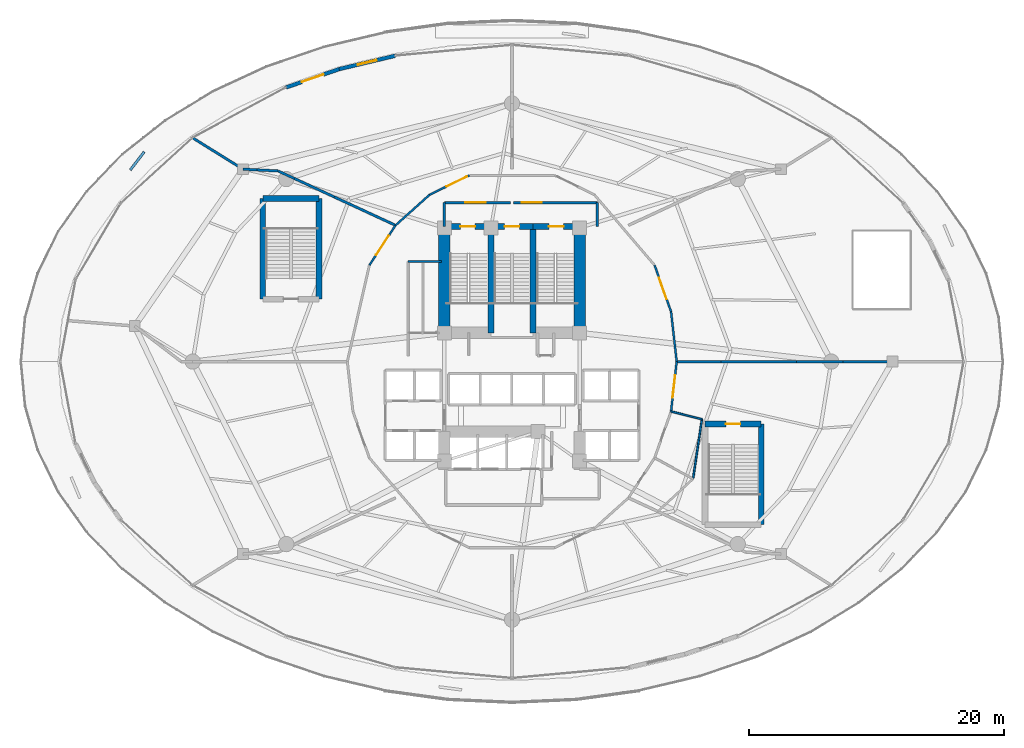
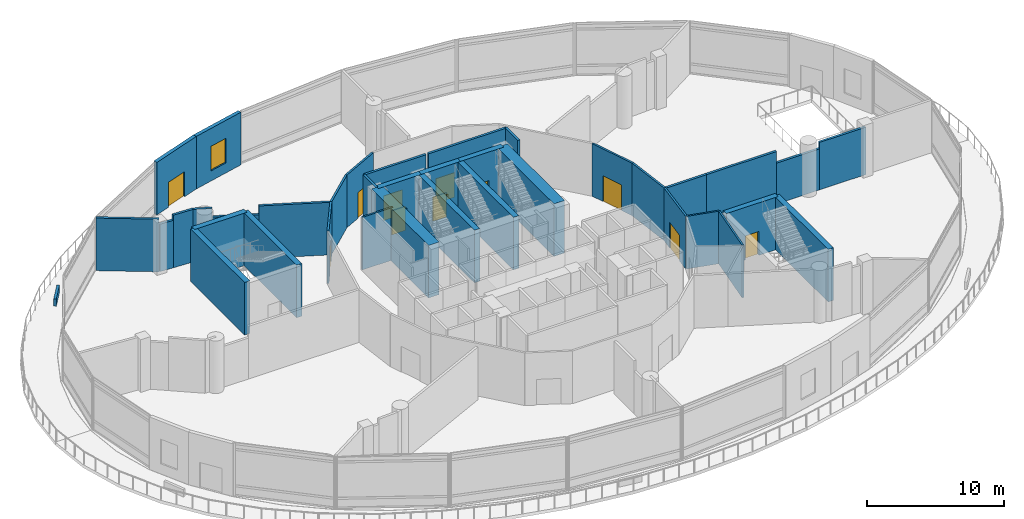
# One storey, part 28 of 36: 38 walls, 11 doors, 1 window, 12 openings.
"""IFC4 building model written with IfcOpenShell, lengths in metres."""

from ifc_helpers import new_model, si_unit, direction, frame, frame_2d, origin, place, context, subcontext, project, spatial, rectangle, extrude, material, layer, layer_set, type_object, element, fill, save


model = new_model("IFC4")

# Units and contexts
model_context = context("Model", 3, precision=1e-05, world=origin(), true_north=direction((0.0, 1.0)))
body_context = subcontext(model_context, "Body", "Model", "MODEL_VIEW")
ifc_project = project(units=[si_unit("LENGTHUNIT", "METRE"), si_unit("AREAUNIT", "SQUARE_METRE"), si_unit("VOLUMEUNIT", "CUBIC_METRE"), si_unit("PLANEANGLEUNIT", "RADIAN"), si_unit("MASSUNIT", "GRAM", prefix="KILO")], contexts=[model_context])

# Site, building, storey
site_placement = place(None, origin())
site = spatial("IfcSite", under=ifc_project, at=site_placement, CompositionType="ELEMENT")
building_placement = place(site_placement, origin())
building = spatial("IfcBuilding", under=site, at=building_placement, Name="Nuhasar Tower", CompositionType="ELEMENT")
storey_placement = place(building_placement, frame((0.0, 0.0, 11.0)))
storey = spatial("IfcBuildingStorey", under=building, at=storey_placement, Name="L02", CompositionType="ELEMENT", Elevation=11.0)

# Wall, opening, window
ifc_material_1 = material(Name="Concrete C45/55", Category="concrete")
ifc_layer_1 = layer(ifc_material_1, 0.239990234375)
ifc_material_2 = material(Name="Limestone Ashlar", Category="masonry")
ifc_layer_2 = layer(ifc_material_2, 0.06005859375)
ifc_layer_set_1 = layer_set([ifc_layer_1, ifc_layer_2], Name="Concrete C45/55")
wall_type_1 = type_object("IfcWallType", Name="WL-ARC-300", PredefinedType="STANDARD", material=ifc_layer_set_1)
wall_1_placement = place(storey_placement, frame((25.43798828125, 49.7490234375, 0.0), z_axis=(0.0, 0.0, 1.0), x_axis=(0.972809117726, 0.231608334197, 0.0)))
wall_1 = element("IfcWall", 1, at=wall_1_placement, inside=storey, type_object=wall_type_1, Name="L02 Limestone Arcade Spandrel Pier 08-1", PredefinedType="STANDARD", context=body_context, shape_type="SweptSolid", body=[
    extrude(rectangle(XDim=4.511474609375, YDim=0.300048828125, at=frame_2d((2.255859375, 0.0))), origin(), (0.0, 0.0, 1.0), 4.699951171875),
])
opening_1_placement = place(wall_1_placement, frame((1.506103515625, 0.0, 0.89990234375)))
opening_1 = element("IfcOpeningElement", 2, at=opening_1_placement, cuts=wall_1, Name="Opening WX-02", PredefinedType="OPENING", context=body_context, shape_type="SweptSolid", body=[
    extrude(rectangle(XDim=1.5, YDim=2.199951171875, at=frame_2d((0.75, 1.10009765625))), frame((0.0, 0.16015625, 0.0), z_axis=(0.0, -1.0, 0.0), x_axis=(1.0, 0.0, 0.0)), (0.0, 0.0, 1.0), 0.320068359375),
])
ifc_material_3 = material(Name="Glass Double Low-E", Category="glass")
window_type = type_object("IfcWindowType", Name="WIN-ARC-1500", PartitioningType="DOUBLE_PANEL_VERTICAL", PredefinedType="WINDOW", material=ifc_material_3)
window_placement = place(opening_1_placement, origin())
window = element("IfcWindow", 3, at=window_placement, inside=storey, type_object=window_type, Name="L02 Arcade Vision Window 08", OverallHeight=2.199951171875, OverallWidth=1.5, PartitioningType="DOUBLE_PANEL_VERTICAL", PredefinedType="WINDOW", context=body_context, shape_type="SweptSolid", body=[
    extrude(rectangle(XDim=1.5, YDim=2.199951171875, at=frame_2d((0.75, 1.10009765625))), frame((0.0, 0.030029296875, 0.0), z_axis=(0.0, -1.0, 0.0), x_axis=(1.0, 0.0, 0.0)), (0.0, 0.0, 1.0), 0.06005859375),
])
fill(opening_1, window)

# Wall, opening, door
wall_2_placement = place(storey_placement, frame((21.280029296875, 48.31201171875, 0.0), z_axis=(0.0, 0.0, 1.0), x_axis=(0.945146288822, 0.32664735224, 0.0)))
wall_2 = element("IfcWall", 4, at=wall_2_placement, inside=storey, type_object=wall_type_1, Name="L02 Limestone Arcade Spandrel Pier 08-2", PredefinedType="STANDARD", context=body_context, shape_type="SweptSolid", body=[
    extrude(rectangle(XDim=4.399169921875, YDim=0.300048828125, at=frame_2d((2.19970703125, 0.0))), origin(), (0.0, 0.0, 1.0), 4.699951171875),
])
opening_2_placement = place(wall_2_placement, frame((1.300048828125, 0.0, 0.0)))
opening_2 = element("IfcOpeningElement", 5, at=opening_2_placement, cuts=wall_2, Name="Opening DX-02", PredefinedType="OPENING", context=body_context, shape_type="SweptSolid", body=[
    extrude(rectangle(XDim=1.800048828125, YDim=2.25, at=frame_2d((0.89990234375, 1.125))), frame((0.0, 0.16015625, 0.0), z_axis=(0.0, -1.0, 0.0), x_axis=(1.0, 0.0, 0.0)), (0.0, 0.0, 1.0), 0.320068359375),
])
ifc_material_4 = material(Name="Aluminium 6063-T6", Category="aluminium")
door_type_1 = type_object("IfcDoorType", Name="DR-TERR-1800", OperationType="DOUBLE_DOOR_SINGLE_SWING", PredefinedType="DOOR", material=ifc_material_4)
door_1_placement = place(opening_2_placement, origin())
door_1 = element("IfcDoor", 6, at=door_1_placement, inside=storey, type_object=door_type_1, Name="L02 Bustan Terrace Door 08", OperationType="DOUBLE_DOOR_SINGLE_SWING", OverallHeight=2.25, OverallWidth=1.800048828125, PredefinedType="DOOR", context=body_context, shape_type="SweptSolid", body=[
    extrude(rectangle(XDim=1.800048828125, YDim=2.25, at=frame_2d((0.89990234375, 1.125))), frame((0.0, 0.02490234375, 0.0), z_axis=(0.0, -1.0, 0.0), x_axis=(1.0, 0.0, 0.0)), (0.0, 0.0, 1.0), 0.050048828125),
])
fill(opening_2, door_1)

ifc_material_5 = material(Name="Concrete C50/60", Category="concrete")
ifc_layer_3 = layer(ifc_material_5, 0.449951171875)
ifc_layer_set_2 = layer_set([ifc_layer_3], Name="Concrete C50/60")
wall_type_2 = type_object("IfcWallType", Name="WL-CORE-450", PredefinedType="SHEAR", material=ifc_layer_set_2)
wall_3_placement = place(storey_placement, frame((37.35009765625, 37.39990234375, 0.0), z_axis=(0.0, 0.0, 1.0), x_axis=(-1.0, 0.0, 0.0)))
wall_3 = element("IfcWall", 7, at=wall_3_placement, inside=storey, type_object=wall_type_2, Name="L02 Stairwell Shear Wall ST01-N", PredefinedType="SHEAR", context=body_context, shape_type="SweptSolid", body=[
    extrude(rectangle(XDim=3.650146484375, YDim=0.449951171875, at=frame_2d((1.8251953125, 0.0))), origin(), (0.0, 0.0, 1.0), 4.699951171875),
])
opening_3_placement = place(wall_3_placement, frame((1.25, 0.0, 0.0)))
opening_3 = element("IfcOpeningElement", 8, at=opening_3_placement, cuts=wall_3, Name="Opening DS-01", PredefinedType="OPENING", context=body_context, shape_type="SweptSolid", body=[
    extrude(rectangle(XDim=1.14990234375, YDim=2.14990234375, at=frame_2d((0.574951171875, 1.074951171875))), frame((0.0, 0.23486328125, 0.0), z_axis=(0.0, -1.0, 0.0), x_axis=(1.0, 0.0, 0.0)), (0.0, 0.0, 1.0), 0.469970703125),
])
ifc_material_6 = material(Name="Steel S355", Category="steel")
door_type_2 = type_object("IfcDoorType", Name="DR-STAIR-FD120-1150", OperationType="NOTDEFINED", PredefinedType="DOOR", material=ifc_material_6)
door_2_placement = place(opening_3_placement, origin())
door_2 = element("IfcDoor", 9, at=door_2_placement, inside=storey, type_object=door_type_2, Name="L02 Exit Stair ST-01 Door", OperationType="SINGLE_SWING_RIGHT", OverallHeight=2.14990234375, OverallWidth=1.14990234375, PredefinedType="DOOR", context=body_context, shape_type="SweptSolid", body=[
    extrude(rectangle(XDim=1.14990234375, YDim=2.14990234375, at=frame_2d((0.574951171875, 1.074951171875))), frame((0.0, 0.02490234375, 0.0), z_axis=(0.0, -1.0, 0.0), x_axis=(1.0, 0.0, 0.0)), (0.0, 0.0, 1.0), 0.050048828125),
])
fill(opening_3, door_2)

# Wall
wall_4_placement = place(storey_placement, frame((37.35009765625, 29.050048828125, 0.0), z_axis=(0.0, 0.0, 1.0), x_axis=(0.0, 1.0, 0.0)))
element("IfcWall", 10, at=wall_4_placement, inside=storey, type_object=wall_type_2, Name="L02 Stairwell Shear Wall ST01-E", PredefinedType="SHEAR", context=body_context, shape_type="SweptSolid", body=[
    extrude(rectangle(XDim=8.349853515625, YDim=0.449951171875, at=frame_2d((4.1748046875, 0.0))), origin(), (0.0, 0.0, 1.0), 4.699951171875),
])

# Wall, opening, door
wall_5_placement = place(storey_placement, frame((40.64990234375, 37.39990234375, 0.0), z_axis=(0.0, 0.0, 1.0), x_axis=(-1.0, 0.0, 0.0)))
wall_5 = element("IfcWall", 11, at=wall_5_placement, inside=storey, type_object=wall_type_2, Name="L02 Stairwell Shear Wall ST03-N", PredefinedType="SHEAR", context=body_context, shape_type="SweptSolid", body=[
    extrude(rectangle(XDim=3.2998046875, YDim=0.449951171875, at=frame_2d((1.64990234375, 0.0))), origin(), (0.0, 0.0, 1.0), 4.699951171875),
])
opening_4_placement = place(wall_5_placement, frame((1.074951171875, 0.0, 0.0)))
opening_4 = element("IfcOpeningElement", 12, at=opening_4_placement, cuts=wall_5, Name="Opening DS-01", PredefinedType="OPENING", context=body_context, shape_type="SweptSolid", body=[
    extrude(rectangle(XDim=1.14990234375, YDim=2.14990234375, at=frame_2d((0.574951171875, 1.074951171875))), frame((0.0, 0.23486328125, 0.0), z_axis=(0.0, -1.0, 0.0), x_axis=(1.0, 0.0, 0.0)), (0.0, 0.0, 1.0), 0.469970703125),
])
door_3_placement = place(opening_4_placement, origin())
door_3 = element("IfcDoor", 13, at=door_3_placement, inside=storey, type_object=door_type_2, Name="L02 Exit Stair ST-03 Door", OperationType="SINGLE_SWING_RIGHT", OverallHeight=2.14990234375, OverallWidth=1.14990234375, PredefinedType="DOOR", context=body_context, shape_type="SweptSolid", body=[
    extrude(rectangle(XDim=1.14990234375, YDim=2.14990234375, at=frame_2d((0.574951171875, 1.074951171875))), frame((0.0, 0.02490234375, 0.0), z_axis=(0.0, -1.0, 0.0), x_axis=(1.0, 0.0, 0.0)), (0.0, 0.0, 1.0), 0.050048828125),
])
fill(opening_4, door_3)

# Wall
wall_6_placement = place(storey_placement, frame((40.64990234375, 29.050048828125, 0.0), z_axis=(0.0, 0.0, 1.0), x_axis=(0.0, 1.0, 0.0)))
element("IfcWall", 14, at=wall_6_placement, inside=storey, type_object=wall_type_2, Name="L02 Stairwell Shear Wall ST03-E", PredefinedType="SHEAR", context=body_context, shape_type="SweptSolid", body=[
    extrude(rectangle(XDim=8.349853515625, YDim=0.449951171875, at=frame_2d((4.1748046875, 0.0))), origin(), (0.0, 0.0, 1.0), 4.699951171875),
])

# Wall, opening, door
wall_7_placement = place(storey_placement, frame((44.300048828125, 37.39990234375, 0.0), z_axis=(0.0, 0.0, 1.0), x_axis=(-1.0, 0.0, 0.0)))
wall_7 = element("IfcWall", 15, at=wall_7_placement, inside=storey, type_object=wall_type_2, Name="L02 Stairwell Shear Wall ST02-N", PredefinedType="SHEAR", context=body_context, shape_type="SweptSolid", body=[
    extrude(rectangle(XDim=3.650146484375, YDim=0.449951171875, at=frame_2d((1.8251953125, 0.0))), origin(), (0.0, 0.0, 1.0), 4.699951171875),
])
opening_5_placement = place(wall_7_placement, frame((1.25, 0.0, 0.0)))
opening_5 = element("IfcOpeningElement", 16, at=opening_5_placement, cuts=wall_7, Name="Opening DS-01", PredefinedType="OPENING", context=body_context, shape_type="SweptSolid", body=[
    extrude(rectangle(XDim=1.14990234375, YDim=2.14990234375, at=frame_2d((0.574951171875, 1.074951171875))), frame((0.0, 0.23486328125, 0.0), z_axis=(0.0, -1.0, 0.0), x_axis=(1.0, 0.0, 0.0)), (0.0, 0.0, 1.0), 0.469970703125),
])
door_4_placement = place(opening_5_placement, origin())
door_4 = element("IfcDoor", 17, at=door_4_placement, inside=storey, type_object=door_type_2, Name="L02 Exit Stair ST-02 Door", OperationType="SINGLE_SWING_LEFT", OverallHeight=2.14990234375, OverallWidth=1.14990234375, PredefinedType="DOOR", context=body_context, shape_type="SweptSolid", body=[
    extrude(rectangle(XDim=1.14990234375, YDim=2.14990234375, at=frame_2d((0.574951171875, 1.074951171875))), frame((0.0, 0.02490234375, 0.0), z_axis=(0.0, -1.0, 0.0), x_axis=(1.0, 0.0, 0.0)), (0.0, 0.0, 1.0), 0.050048828125),
])
fill(opening_5, door_4)

# Walls
wall_8_placement = place(storey_placement, frame((19.449951171875, 39.60009765625, 0.0), z_axis=(0.0, 0.0, 1.0), x_axis=(1.0, 0.0, 0.0)))
element("IfcWall", 18, at=wall_8_placement, inside=storey, type_object=wall_type_2, Name="L02 Stairwell Shear Wall ST-04-N", PredefinedType="SHEAR", context=body_context, shape_type="SweptSolid", body=[
    extrude(rectangle(XDim=4.400146484375, YDim=0.449951171875, at=frame_2d((2.2001953125, 0.0))), origin(), (0.0, 0.0, 1.0), 4.699951171875),
])
for number, where, z_axis, x_axis, name in (
    (19, (19.449951171875, 31.699951171875, 0.0), (0.0, 0.0, 1.0), (0.0, 1.0, 0.0), "L02 Stairwell Shear Wall ST-04-W"),
    (20, (23.85009765625, 31.699951171875, 0.0), (0.0, 0.0, 1.0), (0.0, 1.0, 0.0), "L02 Stairwell Shear Wall ST-04-E"),
):
    element("IfcWall", number, at=place(storey_placement, frame(where, z_axis=z_axis, x_axis=x_axis)), inside=storey, type_object=wall_type_2, Name=name, PredefinedType="SHEAR", context=body_context, shape_type="SweptSolid", body=[
        extrude(rectangle(XDim=7.900146484375, YDim=0.449951171875, at=frame_2d((3.9501953125, 0.0))), origin(), (0.0, 0.0, 1.0), 4.699951171875),
    ])

# Wall, opening, door
wall_9_placement = place(storey_placement, frame((58.550048828125, 21.89990234375, 0.0), z_axis=(0.0, 0.0, 1.0), x_axis=(-1.0, 0.0, 0.0)))
wall_9 = element("IfcWall", 21, at=wall_9_placement, inside=storey, type_object=wall_type_2, Name="L02 Stairwell Shear Wall ST-05-N", PredefinedType="SHEAR", context=body_context, shape_type="SweptSolid", body=[
    extrude(rectangle(XDim=4.400146484375, YDim=0.449951171875, at=frame_2d((2.2001953125, 0.0))), origin(), (0.0, 0.0, 1.0), 4.699951171875),
])
opening_6_placement = place(wall_9_placement, frame((1.625, 0.0, 0.0)))
opening_6 = element("IfcOpeningElement", 22, at=opening_6_placement, cuts=wall_9, Name="Opening DS-01", PredefinedType="OPENING", context=body_context, shape_type="SweptSolid", body=[
    extrude(rectangle(XDim=1.14990234375, YDim=2.14990234375, at=frame_2d((0.574951171875, 1.074951171875))), frame((0.0, 0.23486328125, 0.0), z_axis=(0.0, -1.0, 0.0), x_axis=(1.0, 0.0, 0.0)), (0.0, 0.0, 1.0), 0.469970703125),
])
door_5_placement = place(opening_6_placement, origin())
door_5 = element("IfcDoor", 23, at=door_5_placement, inside=storey, type_object=door_type_2, Name="L02 Exit Stair ST-05 Door", OperationType="SINGLE_SWING_RIGHT", OverallHeight=2.14990234375, OverallWidth=1.14990234375, PredefinedType="DOOR", context=body_context, shape_type="SweptSolid", body=[
    extrude(rectangle(XDim=1.14990234375, YDim=2.14990234375, at=frame_2d((0.574951171875, 1.074951171875))), frame((0.0, 0.02490234375, 0.0), z_axis=(0.0, -1.0, 0.0), x_axis=(1.0, 0.0, 0.0)), (0.0, 0.0, 1.0), 0.050048828125),
])
fill(opening_6, door_5)

# Walls
wall_10_placement = place(storey_placement, frame((58.550048828125, 14.0, 0.0), z_axis=(0.0, 0.0, 1.0), x_axis=(0.0, 1.0, 0.0)))
element("IfcWall", 24, at=wall_10_placement, inside=storey, type_object=wall_type_2, Name="L02 Stairwell Shear Wall ST-05-E", PredefinedType="SHEAR", context=body_context, shape_type="SweptSolid", body=[
    extrude(rectangle(XDim=7.89990234375, YDim=0.449951171875, at=frame_2d((3.949951171875, 0.0))), origin(), (0.0, 0.0, 1.0), 4.699951171875),
])
ifc_material_7 = material(Name="Concrete C80/95", Category="concrete")
ifc_layer_4 = layer(ifc_material_7, 0.89990234375)
ifc_layer_set_3 = layer_set([ifc_layer_4], Name="Concrete C80/95")
wall_type_3 = type_object("IfcWallType", Name="WL-CORE-900", PredefinedType="SHEAR", material=ifc_layer_set_3)
for number, where, z_axis, x_axis, name in (
    (25, (33.699951171875, 29.050048828125, 0.0), (0.0, 0.0, 1.0), (0.0, 1.0, 0.0), "L02 Core Shear Wall CW-NW CW-900"),
    (26, (44.300048828125, 29.050048828125, 0.0), (0.0, 0.0, 1.0), (0.0, 1.0, 0.0), "L02 Core Shear Wall CW-NE CW-900"),
):
    element("IfcWall", number, at=place(storey_placement, frame(where, z_axis=z_axis, x_axis=x_axis)), inside=storey, type_object=wall_type_3, Name=name, PredefinedType="SHEAR", context=body_context, shape_type="SweptSolid", body=[
        extrude(rectangle(XDim=8.349853515625, YDim=0.89990234375, at=frame_2d((4.1748046875, 0.0))), origin(), (0.0, 0.0, 1.0), 4.699951171875),
    ])
ifc_material_8 = material(Name="Gypsum Board", Category="gypsum")
ifc_layer_5 = layer(ifc_material_8, 0.159912109375)
ifc_layer_set_4 = layer_set([ifc_layer_5], Name="Gypsum Board")
wall_type_4 = type_object("IfcWallType", Name="WL-CORR-160", PredefinedType="PARTITIONING", material=ifc_layer_set_4)
wall_11_placement = place(storey_placement, frame((51.919921875, 26.800048828125, 0.0), z_axis=(0.0, 0.0, 1.0), x_axis=(-0.111731247657, 0.993738460711, 0.0)))
element("IfcWall", 27, at=wall_11_placement, inside=storey, type_object=wall_type_4, Name="L02 Interior Partition CORR-00", PredefinedType="PARTITIONING", context=body_context, shape_type="SweptSolid", body=[
    extrude(rectangle(XDim=3.9375, YDim=0.159912109375, at=frame_2d((1.96875, 0.0))), origin(), (0.0, 0.0, 1.0), 4.699951171875),
])

# Wall, opening, door
wall_12_placement = place(storey_placement, frame((50.18896484375, 34.360107421875, 0.0), z_axis=(0.0, 0.0, 1.0), x_axis=(0.333684770033, -0.942684716248, 0.0)))
wall_12 = element("IfcWall", 28, at=wall_12_placement, inside=storey, type_object=wall_type_4, Name="L02 Interior Partition CORR-02", PredefinedType="PARTITIONING", context=body_context, shape_type="SweptSolid", body=[
    extrude(rectangle(XDim=3.868896484375, YDim=0.159912109375, at=frame_2d((1.9345703125, 0.0))), origin(), (0.0, 0.0, 1.0), 4.699951171875),
])
opening_7_placement = place(wall_12_placement, frame((1.033935546875, 0.0, 0.0)))
opening_7 = element("IfcOpeningElement", 29, at=opening_7_placement, cuts=wall_12, Name="Opening DB-02", PredefinedType="OPENING", context=body_context, shape_type="SweptSolid", body=[
    extrude(rectangle(XDim=1.800048828125, YDim=2.300048828125, at=frame_2d((0.89990234375, 1.14990234375))), frame((0.0, 0.08984375, 0.0), z_axis=(0.0, -1.0, 0.0), x_axis=(1.0, 0.0, 0.0)), (0.0, 0.0, 1.0), 0.179931640625),
])
door_type_3 = type_object("IfcDoorType", Name="DR-BALL-FD60-1800", OperationType="DOUBLE_DOOR_SINGLE_SWING", PredefinedType="DOOR", material=ifc_material_4)
door_6_placement = place(opening_7_placement, origin())
door_6 = element("IfcDoor", 30, at=door_6_placement, inside=storey, type_object=door_type_3, Name="L02 Ballroom Pre-Function Door", OperationType="DOUBLE_DOOR_SINGLE_SWING", OverallHeight=2.300048828125, OverallWidth=1.800048828125, PredefinedType="DOOR", context=body_context, shape_type="SweptSolid", body=[
    extrude(rectangle(XDim=1.800048828125, YDim=2.300048828125, at=frame_2d((0.89990234375, 1.14990234375))), frame((0.0, 0.02490234375, 0.0), z_axis=(0.0, -1.0, 0.0), x_axis=(1.0, 0.0, 0.0)), (0.0, 0.0, 1.0), 0.050048828125),
])
fill(opening_7, door_6)

wall_13_placement = place(storey_placement, frame((32.5400390625, 39.89404296875, 0.0), z_axis=(0.0, 0.0, 1.0), x_axis=(0.899789784655, 0.436323668199, 0.0)))
wall_13 = element("IfcWall", 31, at=wall_13_placement, inside=storey, type_object=wall_type_4, Name="L02 Interior Partition CORR-14", PredefinedType="PARTITIONING", context=body_context, shape_type="SweptSolid", body=[
    extrude(rectangle(XDim=3.462890625, YDim=0.159912109375, at=frame_2d((1.7314453125, 0.0))), origin(), (0.0, 0.0, 1.0), 4.699951171875),
])
opening_8_placement = place(wall_13_placement, frame((1.462890625, 0.0, 0.0)))
opening_8 = element("IfcOpeningElement", 32, at=opening_8_placement, cuts=wall_13, Name="Opening DB-02", PredefinedType="OPENING", context=body_context, shape_type="SweptSolid", body=[
    extrude(rectangle(XDim=1.800048828125, YDim=2.300048828125, at=frame_2d((0.89990234375, 1.14990234375))), frame((0.0, 0.08984375, 0.0), z_axis=(0.0, -1.0, 0.0), x_axis=(1.0, 0.0, 0.0)), (0.0, 0.0, 1.0), 0.179931640625),
])
door_7_placement = place(opening_8_placement, origin())
door_7 = element("IfcDoor", 33, at=door_7_placement, inside=storey, type_object=door_type_3, Name="L02 Al-Nuhas Ballroom Door", OperationType="DOUBLE_DOOR_SINGLE_SWING", OverallHeight=2.300048828125, OverallWidth=1.800048828125, PredefinedType="DOOR", context=body_context, shape_type="SweptSolid", body=[
    extrude(rectangle(XDim=1.800048828125, YDim=2.300048828125, at=frame_2d((0.89990234375, 1.14990234375))), frame((0.0, 0.02490234375, 0.0), z_axis=(0.0, -1.0, 0.0), x_axis=(1.0, 0.0, 0.0)), (0.0, 0.0, 1.0), 0.050048828125),
])
fill(opening_8, door_7)

# Wall
wall_14_placement = place(storey_placement, frame((32.5400390625, 39.89404296875, 0.0), z_axis=(0.0, 0.0, 1.0), x_axis=(-0.744032872127, -0.668143012531, 0.0)))
element("IfcWall", 34, at=wall_14_placement, inside=storey, type_object=wall_type_4, Name="L02 Interior Partition CORR-16", PredefinedType="PARTITIONING", context=body_context, shape_type="SweptSolid", body=[
    extrude(rectangle(XDim=3.5966796875, YDim=0.159912109375, at=frame_2d((1.79833984375, 0.0))), origin(), (0.0, 0.0, 1.0), 4.699951171875),
])

# Wall, opening, door
wall_15_placement = place(storey_placement, frame((27.81103515625, 34.360107421875, 0.0), z_axis=(0.0, 0.0, 1.0), x_axis=(0.548348738977, 0.836249759619, 0.0)))
wall_15 = element("IfcWall", 35, at=wall_15_placement, inside=storey, type_object=wall_type_4, Name="L02 Interior Partition CORR-18", PredefinedType="PARTITIONING", context=body_context, shape_type="SweptSolid", body=[
    extrude(rectangle(XDim=3.743896484375, YDim=0.159912109375, at=frame_2d((1.8720703125, 0.0))), origin(), (0.0, 0.0, 1.0), 4.699951171875),
])
opening_9_placement = place(wall_15_placement, frame((0.971923828125, 0.0, 0.0)))
opening_9 = element("IfcOpeningElement", 36, at=opening_9_placement, cuts=wall_15, Name="Opening DB-02", PredefinedType="OPENING", context=body_context, shape_type="SweptSolid", body=[
    extrude(rectangle(XDim=1.800048828125, YDim=2.300048828125, at=frame_2d((0.89990234375, 1.14990234375))), frame((0.0, 0.08984375, 0.0), z_axis=(0.0, -1.0, 0.0), x_axis=(1.0, 0.0, 0.0)), (0.0, 0.0, 1.0), 0.179931640625),
])
door_8_placement = place(opening_9_placement, origin())
door_8 = element("IfcDoor", 37, at=door_8_placement, inside=storey, type_object=door_type_3, Name="L02 Exhibition Gallery Door", OperationType="DOUBLE_DOOR_SINGLE_SWING", OverallHeight=2.300048828125, OverallWidth=1.800048828125, PredefinedType="DOOR", context=body_context, shape_type="SweptSolid", body=[
    extrude(rectangle(XDim=1.800048828125, YDim=2.300048828125, at=frame_2d((0.89990234375, 1.14990234375))), frame((0.0, 0.02490234375, 0.0), z_axis=(0.0, -1.0, 0.0), x_axis=(1.0, 0.0, 0.0)), (0.0, 0.0, 1.0), 0.050048828125),
])
fill(opening_9, door_8)

wall_16_placement = place(storey_placement, frame((51.919921875, 26.800048828125, 0.0), z_axis=(0.0, 0.0, 1.0), x_axis=(-0.111724363671, -0.99373923469, 0.0)))
wall_16 = element("IfcWall", 38, at=wall_16_placement, inside=storey, type_object=wall_type_4, Name="L02 Interior Partition CORR-46", PredefinedType="PARTITIONING", context=body_context, shape_type="SweptSolid", body=[
    extrude(rectangle(XDim=3.937744140625, YDim=0.159912109375, at=frame_2d((1.96875, 0.0))), origin(), (0.0, 0.0, 1.0), 4.699951171875),
])
opening_10_placement = place(wall_16_placement, frame((1.069091796875, 0.0, 0.0)))
opening_10 = element("IfcOpeningElement", 39, at=opening_10_placement, cuts=wall_16, Name="Opening DB-02", PredefinedType="OPENING", context=body_context, shape_type="SweptSolid", body=[
    extrude(rectangle(XDim=1.800048828125, YDim=2.300048828125, at=frame_2d((0.89990234375, 1.14990234375))), frame((0.0, 0.08984375, 0.0), z_axis=(0.0, -1.0, 0.0), x_axis=(1.0, 0.0, 0.0)), (0.0, 0.0, 1.0), 0.179931640625),
])
door_9_placement = place(opening_10_placement, origin())
door_9 = element("IfcDoor", 40, at=door_9_placement, inside=storey, type_object=door_type_3, Name="L02 South-East Foyer Door", OperationType="DOUBLE_DOOR_SINGLE_SWING", OverallHeight=2.300048828125, OverallWidth=1.800048828125, PredefinedType="DOOR", context=body_context, shape_type="SweptSolid", body=[
    extrude(rectangle(XDim=1.800048828125, YDim=2.300048828125, at=frame_2d((0.89990234375, 1.14990234375))), frame((0.0, 0.02490234375, 0.0), z_axis=(0.0, -1.0, 0.0), x_axis=(1.0, 0.0, 0.0)), (0.0, 0.0, 1.0), 0.050048828125),
])
fill(opening_10, door_9)

# Walls
ifc_layer_6 = layer(ifc_material_1, 0.199951171875)
ifc_layer_set_5 = layer_set([ifc_layer_6], Name="Concrete C45/55")
wall_type_5 = type_object("IfcWallType", Name="WL-LOBBY-200", PredefinedType="SOLIDWALL", material=ifc_layer_set_5)
for number, where, z_axis, x_axis, name in (
    (41, (33.699951171875, 37.39990234375, 0.0), (0.0, 0.0, 1.0), (0.0, 1.0, 0.0), "L02 Interior Partition NSL-W"),
    (42, (45.699951171875, 37.39990234375, 0.0), (0.0, 0.0, 1.0), (0.0, 1.0, 0.0), "L02 Interior Partition NSL-E"),
):
    element("IfcWall", number, at=place(storey_placement, frame(where, z_axis=z_axis, x_axis=x_axis)), inside=storey, type_object=wall_type_5, Name=name, PredefinedType="SOLIDWALL", context=body_context, shape_type="SweptSolid", body=[
        extrude(rectangle(XDim=1.880126953125, YDim=0.199951171875, at=frame_2d((0.93994140625, 0.0))), origin(), (0.0, 0.0, 1.0), 4.699951171875),
    ])

# Wall, opening, door
wall_17_placement = place(storey_placement, frame((38.89990234375, 39.280029296875, 0.0), z_axis=(0.0, 0.0, 1.0), x_axis=(-1.0, 0.0, 0.0)))
wall_17 = element("IfcWall", 43, at=wall_17_placement, inside=storey, type_object=wall_type_5, Name="L02 Interior Partition NSL-N1", PredefinedType="SOLIDWALL", context=body_context, shape_type="SweptSolid", body=[
    extrude(rectangle(XDim=5.199951171875, YDim=0.199951171875, at=frame_2d((2.60009765625, 0.0))), origin(), (0.0, 0.0, 1.0), 4.699951171875),
])
opening_11_placement = place(wall_17_placement, frame((1.949951171875, 0.0, 0.0)))
opening_11 = element("IfcOpeningElement", 44, at=opening_11_placement, cuts=wall_17, Name="Opening DC-01", PredefinedType="OPENING", context=body_context, shape_type="SweptSolid", body=[
    extrude(rectangle(XDim=1.60009765625, YDim=2.199951171875, at=frame_2d((0.800048828125, 1.10009765625))), frame((0.0, 0.10986328125, 0.0), z_axis=(0.0, -1.0, 0.0), x_axis=(1.0, 0.0, 0.0)), (0.0, 0.0, 1.0), 0.219970703125),
])
door_type_4 = type_object("IfcDoorType", Name="DR-CORR-FD60-1600", OperationType="DOUBLE_DOOR_SINGLE_SWING", PredefinedType="DOOR", material=ifc_material_6)
door_10_placement = place(opening_11_placement, origin())
door_10 = element("IfcDoor", 45, at=door_10_placement, inside=storey, type_object=door_type_4, Name="L02 North Stair Lobby West Door", OperationType="DOUBLE_DOOR_SINGLE_SWING", OverallHeight=2.199951171875, OverallWidth=1.60009765625, PredefinedType="DOOR", context=body_context, shape_type="SweptSolid", body=[
    extrude(rectangle(XDim=1.60009765625, YDim=2.199951171875, at=frame_2d((0.800048828125, 1.10009765625))), frame((0.0, 0.02490234375, 0.0), z_axis=(0.0, -1.0, 0.0), x_axis=(1.0, 0.0, 0.0)), (0.0, 0.0, 1.0), 0.050048828125),
])
fill(opening_11, door_10)

wall_18_placement = place(storey_placement, frame((45.699951171875, 39.280029296875, 0.0), z_axis=(0.0, 0.0, 1.0), x_axis=(-1.0, 0.0, 0.0)))
wall_18 = element("IfcWall", 46, at=wall_18_placement, inside=storey, type_object=wall_type_5, Name="L02 Interior Partition NSL-N2", PredefinedType="SOLIDWALL", context=body_context, shape_type="SweptSolid", body=[
    extrude(rectangle(XDim=6.599853515625, YDim=0.199951171875, at=frame_2d((3.2998046875, 0.0))), origin(), (0.0, 0.0, 1.0), 4.699951171875),
])
opening_12_placement = place(wall_18_placement, frame((4.35009765625, 0.0, 0.0)))
opening_12 = element("IfcOpeningElement", 47, at=opening_12_placement, cuts=wall_18, Name="Opening DC-01", PredefinedType="OPENING", context=body_context, shape_type="SweptSolid", body=[
    extrude(rectangle(XDim=1.60009765625, YDim=2.199951171875, at=frame_2d((0.800048828125, 1.10009765625))), frame((0.0, 0.10986328125, 0.0), z_axis=(0.0, -1.0, 0.0), x_axis=(1.0, 0.0, 0.0)), (0.0, 0.0, 1.0), 0.219970703125),
])
door_11_placement = place(opening_12_placement, origin())
door_11 = element("IfcDoor", 48, at=door_11_placement, inside=storey, type_object=door_type_4, Name="L02 North Stair Lobby East Door", OperationType="DOUBLE_DOOR_SINGLE_SWING", OverallHeight=2.199951171875, OverallWidth=1.60009765625, PredefinedType="DOOR", context=body_context, shape_type="SweptSolid", body=[
    extrude(rectangle(XDim=1.60009765625, YDim=2.199951171875, at=frame_2d((0.800048828125, 1.10009765625))), frame((0.0, 0.02490234375, 0.0), z_axis=(0.0, -1.0, 0.0), x_axis=(1.0, 0.0, 0.0)), (0.0, 0.0, 1.0), 0.050048828125),
])
fill(opening_12, door_11)

# Walls
ifc_layer_7 = layer(ifc_material_1, 0.199951171875)
ifc_layer_set_6 = layer_set([ifc_layer_7], Name="Concrete C45/55")
wall_type_6 = type_object("IfcWallType", Name="WL-PLANTER-200", PredefinedType="ELEMENTEDWALL", material=ifc_layer_set_6)
wall_19_placement = place(storey_placement, frame((9.050048828125, 41.8291015625, 0.0), z_axis=(0.0, 0.0, 1.0), x_axis=(0.608838635348, 0.793294091814, 0.0)))
element("IfcWall", 49, at=wall_19_placement, inside=storey, type_object=wall_type_6, Name="L02 Bustan Garden Planter Curb 03", PredefinedType="ELEMENTEDWALL", context=body_context, shape_type="SweptSolid", body=[
    extrude(rectangle(XDim=1.800048828125, YDim=0.199951171875, at=frame_2d((0.89990234375, 0.0))), origin(), (0.0, 0.0, 1.0), 0.64990234375),
])
ifc_material_9 = material(Name="Concrete C40/50 precast", Category="concrete")
ifc_layer_8 = layer(ifc_material_9, 0.199951171875)
ifc_layer_set_7 = layer_set([ifc_layer_8], Name="Concrete C40/50 precast")
wall_type_7 = type_object("IfcWallType", Name="WL-UNIT-200", PredefinedType="PARTITIONING", material=ifc_layer_set_7)
wall_20_placement = place(storey_placement, frame((51.919921875, 26.800048828125, 0.0), z_axis=(0.0, 0.0, 1.0), x_axis=(1.0, 0.0, 0.0)))
element("IfcWall", 50, at=wall_20_placement, inside=storey, type_object=wall_type_7, Name="L02 Interior Partition PRAD-00-S1", PredefinedType="PARTITIONING", context=body_context, shape_type="SweptSolid", body=[
    extrude(rectangle(XDim=3.47998046875, YDim=0.199951171875, at=frame_2d((1.739990234375, 0.0))), origin(), (0.0, 0.0, 1.0), 4.699951171875),
])
wall_21_placement = place(storey_placement, frame((55.39990234375, 26.800048828125, 0.0), z_axis=(0.0, 0.0, 1.0), x_axis=(1.0, 0.0, 0.0)))
element("IfcWall", 51, at=wall_21_placement, inside=storey, type_object=wall_type_7, Name="L02 Interior Partition PRAD-00-S2", PredefinedType="PARTITIONING", context=body_context, shape_type="SweptSolid", body=[
    extrude(rectangle(XDim=5.9169921875, YDim=0.199951171875, at=frame_2d((2.95849609375, 0.0))), origin(), (0.0, 0.0, 1.0), 4.699951171875),
])
wall_22_placement = place(storey_placement, frame((61.31689453125, 26.800048828125, 0.0), z_axis=(0.0, 0.0, 1.0), x_axis=(1.0, 0.0, 0.0)))
element("IfcWall", 52, at=wall_22_placement, inside=storey, type_object=wall_type_7, Name="L02 Interior Partition PRAD-00-S2", PredefinedType="PARTITIONING", context=body_context, shape_type="SweptSolid", body=[
    extrude(rectangle(XDim=3.633056640625, YDim=0.199951171875, at=frame_2d((1.81640625, 0.0))), origin(), (0.0, 0.0, 1.0), 3.659912109375),
])
wall_23_placement = place(storey_placement, frame((64.949951171875, 26.800048828125, 0.0), z_axis=(0.0, 0.0, 1.0), x_axis=(1.0, 0.0, 0.0)))
element("IfcWall", 53, at=wall_23_placement, inside=storey, type_object=wall_type_7, Name="L02 Interior Partition PRAD-00-S3", PredefinedType="PARTITIONING", context=body_context, shape_type="SweptSolid", body=[
    extrude(rectangle(XDim=3.900146484375, YDim=0.199951171875, at=frame_2d((1.9501953125, 0.0))), origin(), (0.0, 0.0, 1.0), 4.239990234375),
])
wall_24_placement = place(storey_placement, frame((29.864013671875, 37.490966796875, 0.0), z_axis=(0.0, 0.0, 1.0), x_axis=(-0.907524785669, 0.419998527851, 0.0)))
element("IfcWall", 54, at=wall_24_placement, inside=storey, type_object=wall_type_7, Name="L02 Interior Partition PRAD-18-S1", PredefinedType="PARTITIONING", context=body_context, shape_type="SweptSolid", body=[
    extrude(rectangle(XDim=5.30029296875, YDim=0.199951171875, at=frame_2d((2.650146484375, 0.0))), origin(), (0.0, 0.0, 1.0), 4.699951171875),
])
wall_25_placement = place(storey_placement, frame((25.053955078125, 39.717041015625, 0.0), z_axis=(0.0, 0.0, 1.0), x_axis=(-0.90747190463, 0.420112773321, 0.0)))
element("IfcWall", 55, at=wall_25_placement, inside=storey, type_object=wall_type_7, Name="L02 Interior Partition PRAD-18-S1", PredefinedType="PARTITIONING", context=body_context, shape_type="SweptSolid", body=[
    extrude(rectangle(XDim=3.448974609375, YDim=0.199951171875, at=frame_2d((1.724609375, 0.0))), origin(), (0.0, 0.0, 1.0), 3.919921875),
])
wall_26_placement = place(storey_placement, frame((21.924072265625, 41.166015625, 0.0), z_axis=(0.0, 0.0, 1.0), x_axis=(-0.907622896373, 0.419786467124, 0.0)))
element("IfcWall", 56, at=wall_26_placement, inside=storey, type_object=wall_type_7, Name="L02 Interior Partition PRAD-18-S1", PredefinedType="PARTITIONING", context=body_context, shape_type="SweptSolid", body=[
    extrude(rectangle(XDim=1.40283203125, YDim=0.199951171875, at=frame_2d((0.701416015625, 0.0))), origin(), (0.0, 0.0, 1.0), 4.699951171875),
])
wall_27_placement = place(storey_placement, frame((20.65087890625, 41.7548828125, 0.0), z_axis=(0.0, 0.0, 1.0), x_axis=(-0.998685128887, 0.051264152576, 0.0)))
element("IfcWall", 57, at=wall_27_placement, inside=storey, type_object=wall_type_7, Name="L02 Interior Partition PRAD-18-S2", PredefinedType="PARTITIONING", context=body_context, shape_type="SweptSolid", body=[
    extrude(rectangle(XDim=1.64306640625, YDim=0.199951171875, at=frame_2d((0.821533203125, 0.0))), origin(), (0.0, 0.0, 1.0), 4.699951171875),
])
wall_28_placement = place(storey_placement, frame((19.010009765625, 41.839111328125, 0.0), z_axis=(0.0, 0.0, 1.0), x_axis=(-0.998660904733, 0.051733909163, 0.0)))
element("IfcWall", 58, at=wall_28_placement, inside=storey, type_object=wall_type_7, Name="L02 Interior Partition PRAD-18-S2", PredefinedType="PARTITIONING", context=body_context, shape_type="SweptSolid", body=[
    extrude(rectangle(XDim=1.118408203125, YDim=0.199951171875, at=frame_2d((0.55908203125, 0.0))), origin(), (0.0, 0.0, 1.0), 4.239990234375),
])
wall_29_placement = place(storey_placement, frame((17.89306640625, 41.89697265625, 0.0), z_axis=(0.0, 0.0, 1.0), x_axis=(-0.849149708827, 0.528152224267, 0.0)))
element("IfcWall", 59, at=wall_29_placement, inside=storey, type_object=wall_type_7, Name="L02 Interior Partition PRAD-18-S3", PredefinedType="PARTITIONING", context=body_context, shape_type="SweptSolid", body=[
    extrude(rectangle(XDim=4.625732421875, YDim=0.199951171875, at=frame_2d((2.31298828125, 0.0))), origin(), (0.0, 0.0, 1.0), 4.699951171875),
])
ifc_layer_9 = layer(ifc_material_9, 0.139892578125)
ifc_layer_set_8 = layer_set([ifc_layer_9], Name="Concrete C40/50 precast")
wall_type_8 = type_object("IfcWallType", Name="WL-WET-140", PredefinedType="PARTITIONING", material=ifc_layer_set_8)
wall_30_placement = place(storey_placement, frame((30.85009765625, 34.64990234375, 0.0), z_axis=(0.0, 0.0, 1.0), x_axis=(1.0, 0.0, 0.0)))
element("IfcWall", 60, at=wall_30_placement, inside=storey, type_object=wall_type_8, Name="L02 Interior Partition K2-NW-N", PredefinedType="PARTITIONING", context=body_context, shape_type="SweptSolid", body=[
    extrude(rectangle(XDim=2.599853515625, YDim=0.139892578125, at=frame_2d((1.2998046875, 0.0))), origin(), (0.0, 0.0, 1.0), 4.699951171875),
])
wall_31_placement = place(storey_placement, frame((51.47998046875, 22.886962890625, 0.0), z_axis=(0.0, 0.0, 1.0), x_axis=(0.969564374521, -0.244836524357, 0.0)))
element("IfcWall", 61, at=wall_31_placement, inside=storey, type_object=wall_type_8, Name="L02 Interior Partition PWC-DIV2", PredefinedType="PARTITIONING", context=body_context, shape_type="SweptSolid", body=[
    extrude(rectangle(XDim=2.495849609375, YDim=0.139892578125, at=frame_2d((1.248046875, 0.0))), origin(), (0.0, 0.0, 1.0), 4.699951171875),
])
wall_32_placement = place(storey_placement, frame((53.202880859375, 17.60009765625, 0.0), z_axis=(0.0, 0.0, 1.0), x_axis=(0.147441370436, 0.989070797407, 0.0)))
element("IfcWall", 62, at=wall_32_placement, inside=storey, type_object=wall_type_8, Name="L02 Interior Partition PWC-BACK-44", PredefinedType="PARTITIONING", context=body_context, shape_type="SweptSolid", body=[
    extrude(rectangle(XDim=4.7275390625, YDim=0.139892578125, at=frame_2d((2.36376953125, 0.0))), origin(), (0.0, 0.0, 1.0), 4.699951171875),
])

save(model, "model.ifc")
